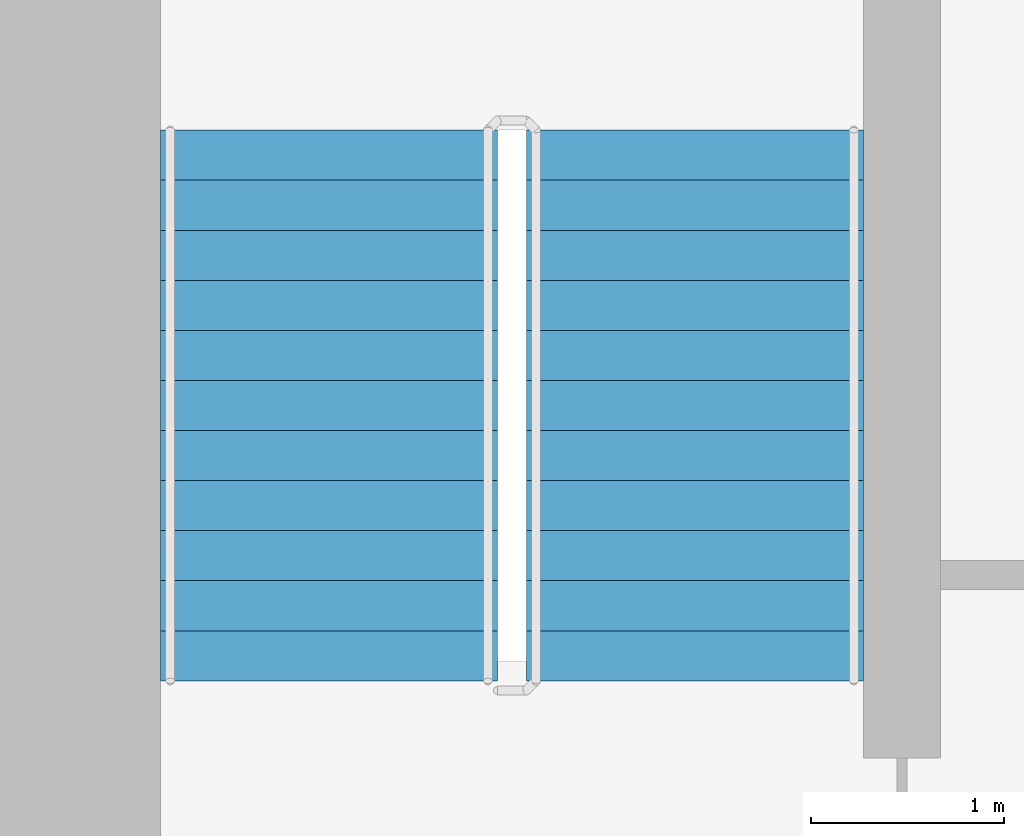
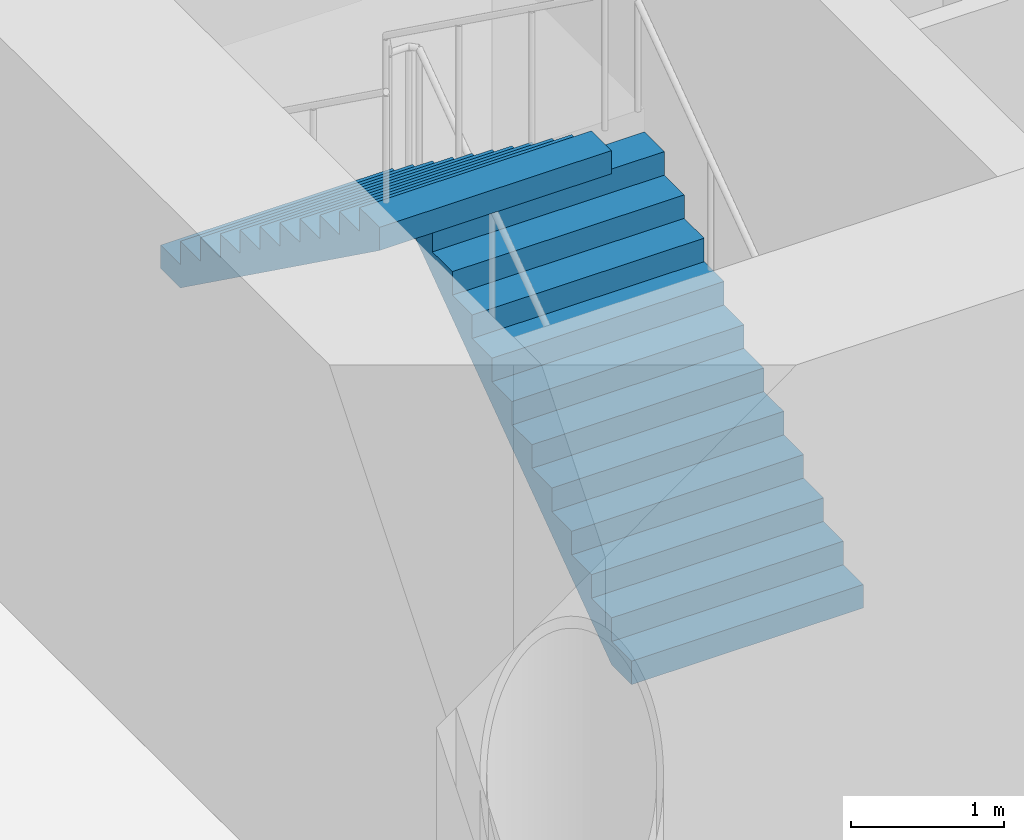
# One storey, part 43 of 51: 2 stair flights, 1 element without a shape of its own.
"""IFC4 building model written with IfcOpenShell, lengths in metres."""

from ifc_helpers import new_model, si_unit, direction, frame, origin, place, context, subcontext, project, spatial, faceted_brep, material, type_object, element, aggregate, save


model = new_model("IFC4")

# Units and contexts
model_context = context("Model", 3, precision=1e-05, world=origin(), true_north=direction((0.0, 1.0)))
body_context = subcontext(model_context, "Body", "Model", "MODEL_VIEW")
ifc_project = project(units=[si_unit("LENGTHUNIT", "METRE"), si_unit("AREAUNIT", "SQUARE_METRE"), si_unit("VOLUMEUNIT", "CUBIC_METRE"), si_unit("PLANEANGLEUNIT", "RADIAN"), si_unit("MASSUNIT", "GRAM", prefix="KILO")], contexts=[model_context])

# Site, building, storey
site_placement = place(None, origin())
site = spatial("IfcSite", under=ifc_project, at=site_placement, CompositionType="ELEMENT")
building_placement = place(site_placement, origin())
building = spatial("IfcBuilding", under=site, at=building_placement, Name="Ipe Terrace Towers", CompositionType="ELEMENT")
storey_placement = place(building_placement, frame((0.0, 0.0, 15.5)))
storey = spatial("IfcBuildingStorey", under=building, at=storey_placement, Name="L03", CompositionType="ELEMENT", Elevation=15.5)

# Stair, stair flights
ifc_material_1 = material(Name="Concrete C30/37", Category="concrete")
stair_type = type_object("IfcStairType", Name="Protected exit stair", PredefinedType="HALF_TURN_STAIR", material=ifc_material_1)
stair_placement = place(storey_placement, origin())
stair = element("IfcStair", 1, at=stair_placement, inside=storey, type_object=stair_type, Name="L03 Exit stair T2-C1", PredefinedType="HALF_TURN_STAIR")
ifc_material_2 = material(Name="Concrete C30/37", Category="concrete")
stair_flight_type = type_object("IfcStairFlightType", Name="Exit stair flight 1750", PredefinedType="STRAIGHT", material=ifc_material_2)
stair_flight_1_placement = place(storey_placement, frame((33.22509765625, 9.699951171875, 0.0), z_axis=(0.0, 0.0, 1.0), x_axis=(0.0, 1.0, 0.0)))
stair_flight_1 = element("IfcStairFlight", 2, at=stair_flight_1_placement, type_object=stair_flight_type, Name="T2-ST1 flight 1", NumberOfRisers=12, NumberOfTreads=11, PredefinedType="STRAIGHT", RiserHeight=0.1875, TreadLength=0.26, context=body_context, shape_type="Brep", body=[
    faceted_brep([(0.25634765625, -0.875, 0.0), (2.860107421875, -0.875, 1.877685546875), (2.860107421875, -0.875, 2.0625), (2.60009765625, -0.875, 2.0625), (2.60009765625, -0.875, 1.875), (2.340087890625, -0.875, 1.875), (2.340087890625, -0.875, 1.6875), (2.080078125, -0.875, 1.6875), (2.080078125, -0.875, 1.5), (1.820068359375, -0.875, 1.5), (1.820068359375, -0.875, 1.3125), (1.56005859375, -0.875, 1.3125), (1.56005859375, -0.875, 1.125), (1.300048828125, -0.875, 1.125), (1.300048828125, -0.875, 0.9375), (1.0400390625, -0.875, 0.9375), (1.0400390625, -0.875, 0.75), (0.780029296875, -0.875, 0.75), (0.780029296875, -0.875, 0.5625), (0.52001953125, -0.875, 0.5625), (0.52001953125, -0.875, 0.375), (0.260009765625, -0.875, 0.375), (0.260009765625, -0.875, 0.1875), (0.0, -0.875, 0.1875), (0.0, -0.875, 0.0), (0.0, 0.875, 0.0), (0.0, 0.875, 0.1875), (0.260009765625, 0.875, 0.1875), (0.260009765625, 0.875, 0.375), (0.52001953125, 0.875, 0.375), (0.52001953125, 0.875, 0.5625), (0.780029296875, 0.875, 0.5625), (0.780029296875, 0.875, 0.75), (1.0400390625, 0.875, 0.75), (1.0400390625, 0.875, 0.9375), (1.300048828125, 0.875, 0.9375), (1.300048828125, 0.875, 1.125), (1.56005859375, 0.875, 1.125), (1.56005859375, 0.875, 1.3125), (1.820068359375, 0.875, 1.3125), (1.820068359375, 0.875, 1.5), (2.080078125, 0.875, 1.5), (2.080078125, 0.875, 1.6875), (2.340087890625, 0.875, 1.6875), (2.340087890625, 0.875, 1.875), (2.60009765625, 0.875, 1.875), (2.60009765625, 0.875, 2.0625), (2.860107421875, 0.875, 2.0625), (2.860107421875, 0.875, 1.877685546875), (0.25634765625, 0.875, 0.0), (0.0, -0.300048828125, 0.1875), (0.0, -0.1201171875, 0.1875), (0.0, -0.06005859375, 0.1875), (0.0, -0.030029296875, 0.1875), (0.0, -0.010009765625, 0.1875), (0.0, 0.0, 0.1875), (0.0, 0.010009765625, 0.1875), (0.0, 0.030029296875, 0.1875), (0.0, 0.06005859375, 0.1875), (0.0, 0.1201171875, 0.1875), (0.0, 0.300048828125, 0.1875), (0.0, 0.300048828125, 0.0), (0.0, 0.1201171875, 0.0), (0.0, 0.06005859375, 0.0), (0.0, 0.030029296875, 0.0), (0.0, 0.010009765625, 0.0), (0.0, 0.0, 0.0), (0.0, -0.010009765625, 0.0), (0.0, -0.030029296875, 0.0), (0.0, -0.06005859375, 0.0), (0.0, -0.1201171875, 0.0), (0.0, -0.300048828125, 0.0), (0.260009765625, -0.300048828125, 0.1875), (0.260009765625, -0.1201171875, 0.1875), (0.260009765625, -0.06005859375, 0.1875), (0.260009765625, -0.030029296875, 0.1875), (0.260009765625, -0.010009765625, 0.1875), (0.260009765625, 0.0, 0.1875), (0.260009765625, 0.010009765625, 0.1875), (0.260009765625, 0.030029296875, 0.1875), (0.260009765625, 0.06005859375, 0.1875), (0.260009765625, 0.1201171875, 0.1875), (0.260009765625, 0.300048828125, 0.1875), (0.260009765625, -0.300048828125, 0.375), (0.260009765625, -0.1201171875, 0.375), (0.260009765625, -0.06005859375, 0.375), (0.260009765625, -0.030029296875, 0.375), (0.260009765625, -0.010009765625, 0.375), (0.260009765625, 0.0, 0.375), (0.260009765625, 0.010009765625, 0.375), (0.260009765625, 0.030029296875, 0.375), (0.260009765625, 0.06005859375, 0.375), (0.260009765625, 0.1201171875, 0.375), (0.260009765625, 0.300048828125, 0.375), (0.52001953125, -0.300048828125, 0.375), (0.52001953125, -0.1201171875, 0.375), (0.52001953125, -0.06005859375, 0.375), (0.52001953125, -0.030029296875, 0.375), (0.52001953125, -0.010009765625, 0.375), (0.52001953125, 0.0, 0.375), (0.52001953125, 0.010009765625, 0.375), (0.52001953125, 0.030029296875, 0.375), (0.52001953125, 0.06005859375, 0.375), (0.52001953125, 0.1201171875, 0.375), (0.52001953125, 0.300048828125, 0.375), (0.52001953125, -0.300048828125, 0.5625), (0.52001953125, -0.1201171875, 0.5625), (0.52001953125, -0.06005859375, 0.5625), (0.52001953125, -0.030029296875, 0.5625), (0.52001953125, -0.010009765625, 0.5625), (0.52001953125, 0.0, 0.5625), (0.52001953125, 0.010009765625, 0.5625), (0.52001953125, 0.030029296875, 0.5625), (0.52001953125, 0.06005859375, 0.5625), (0.52001953125, 0.1201171875, 0.5625), (0.52001953125, 0.300048828125, 0.5625), (0.780029296875, -0.300048828125, 0.5625), (0.780029296875, -0.1201171875, 0.5625), (0.780029296875, -0.06005859375, 0.5625), (0.780029296875, -0.030029296875, 0.5625), (0.780029296875, -0.010009765625, 0.5625), (0.780029296875, 0.0, 0.5625), (0.780029296875, 0.010009765625, 0.5625), (0.780029296875, 0.030029296875, 0.5625), (0.780029296875, 0.06005859375, 0.5625), (0.780029296875, 0.1201171875, 0.5625), (0.780029296875, 0.300048828125, 0.5625), (0.780029296875, -0.300048828125, 0.75), (0.780029296875, -0.1201171875, 0.75), (0.780029296875, -0.06005859375, 0.75), (0.780029296875, -0.030029296875, 0.75), (0.780029296875, -0.010009765625, 0.75), (0.780029296875, 0.0, 0.75), (0.780029296875, 0.010009765625, 0.75), (0.780029296875, 0.030029296875, 0.75), (0.780029296875, 0.06005859375, 0.75), (0.780029296875, 0.1201171875, 0.75), (0.780029296875, 0.300048828125, 0.75), (1.0400390625, -0.300048828125, 0.75), (1.0400390625, -0.1201171875, 0.75), (1.0400390625, -0.06005859375, 0.75), (1.0400390625, -0.030029296875, 0.75), (1.0400390625, -0.010009765625, 0.75), (1.0400390625, 0.0, 0.75), (1.0400390625, 0.010009765625, 0.75), (1.0400390625, 0.030029296875, 0.75), (1.0400390625, 0.06005859375, 0.75), (1.0400390625, 0.1201171875, 0.75), (1.0400390625, 0.300048828125, 0.75), (1.0400390625, -0.300048828125, 0.9375), (1.0400390625, -0.1201171875, 0.9375), (1.0400390625, -0.06005859375, 0.9375), (1.0400390625, -0.030029296875, 0.9375), (1.0400390625, -0.010009765625, 0.9375), (1.0400390625, 0.0, 0.9375), (1.0400390625, 0.010009765625, 0.9375), (1.0400390625, 0.030029296875, 0.9375), (1.0400390625, 0.06005859375, 0.9375), (1.0400390625, 0.1201171875, 0.9375), (1.0400390625, 0.300048828125, 0.9375), (1.300048828125, -0.300048828125, 0.9375), (1.300048828125, -0.1201171875, 0.9375), (1.300048828125, -0.06005859375, 0.9375), (1.300048828125, -0.030029296875, 0.9375), (1.300048828125, -0.010009765625, 0.9375), (1.300048828125, 0.0, 0.9375), (1.300048828125, 0.010009765625, 0.9375), (1.300048828125, 0.030029296875, 0.9375), (1.300048828125, 0.06005859375, 0.9375), (1.300048828125, 0.1201171875, 0.9375), (1.300048828125, 0.300048828125, 0.9375), (1.300048828125, -0.300048828125, 1.125), (1.300048828125, -0.1201171875, 1.125), (1.300048828125, -0.06005859375, 1.125), (1.300048828125, -0.030029296875, 1.125), (1.300048828125, -0.010009765625, 1.125), (1.300048828125, 0.0, 1.125), (1.300048828125, 0.010009765625, 1.125), (1.300048828125, 0.030029296875, 1.125), (1.300048828125, 0.06005859375, 1.125), (1.300048828125, 0.1201171875, 1.125), (1.300048828125, 0.300048828125, 1.125), (1.56005859375, -0.300048828125, 1.125), (1.56005859375, -0.1201171875, 1.125), (1.56005859375, -0.06005859375, 1.125), (1.56005859375, -0.030029296875, 1.125), (1.56005859375, -0.010009765625, 1.125), (1.56005859375, 0.0, 1.125), (1.56005859375, 0.010009765625, 1.125), (1.56005859375, 0.030029296875, 1.125), (1.56005859375, 0.06005859375, 1.125), (1.56005859375, 0.1201171875, 1.125), (1.56005859375, 0.300048828125, 1.125), (1.56005859375, -0.300048828125, 1.3125), (1.56005859375, -0.1201171875, 1.3125), (1.56005859375, -0.06005859375, 1.3125), (1.56005859375, -0.030029296875, 1.3125), (1.56005859375, -0.010009765625, 1.3125), (1.56005859375, 0.0, 1.3125), (1.56005859375, 0.010009765625, 1.3125), (1.56005859375, 0.030029296875, 1.3125), (1.56005859375, 0.06005859375, 1.3125), (1.56005859375, 0.1201171875, 1.3125), (1.56005859375, 0.300048828125, 1.3125), (1.820068359375, -0.300048828125, 1.3125), (1.820068359375, -0.1201171875, 1.3125), (1.820068359375, -0.06005859375, 1.3125), (1.820068359375, -0.030029296875, 1.3125), (1.820068359375, -0.010009765625, 1.3125), (1.820068359375, 0.0, 1.3125), (1.820068359375, 0.010009765625, 1.3125), (1.820068359375, 0.030029296875, 1.3125), (1.820068359375, 0.06005859375, 1.3125), (1.820068359375, 0.1201171875, 1.3125), (1.820068359375, 0.300048828125, 1.3125), (1.820068359375, -0.300048828125, 1.5), (1.820068359375, -0.1201171875, 1.5), (1.820068359375, -0.06005859375, 1.5), (1.820068359375, -0.030029296875, 1.5), (1.820068359375, -0.010009765625, 1.5), (1.820068359375, 0.0, 1.5), (1.820068359375, 0.010009765625, 1.5), (1.820068359375, 0.030029296875, 1.5), (1.820068359375, 0.06005859375, 1.5), (1.820068359375, 0.1201171875, 1.5), (1.820068359375, 0.300048828125, 1.5), (2.080078125, -0.300048828125, 1.5), (2.080078125, -0.1201171875, 1.5), (2.080078125, -0.06005859375, 1.5), (2.080078125, -0.030029296875, 1.5), (2.080078125, -0.010009765625, 1.5), (2.080078125, 0.0, 1.5), (2.080078125, 0.010009765625, 1.5), (2.080078125, 0.030029296875, 1.5), (2.080078125, 0.06005859375, 1.5), (2.080078125, 0.1201171875, 1.5), (2.080078125, 0.300048828125, 1.5), (2.080078125, -0.300048828125, 1.6875), (2.080078125, -0.1201171875, 1.6875), (2.080078125, -0.06005859375, 1.6875), (2.080078125, -0.030029296875, 1.6875), (2.080078125, -0.010009765625, 1.6875), (2.080078125, 0.0, 1.6875), (2.080078125, 0.010009765625, 1.6875), (2.080078125, 0.030029296875, 1.6875), (2.080078125, 0.06005859375, 1.6875), (2.080078125, 0.1201171875, 1.6875), (2.080078125, 0.300048828125, 1.6875), (2.340087890625, -0.300048828125, 1.6875), (2.340087890625, -0.1201171875, 1.6875), (2.340087890625, -0.06005859375, 1.6875), (2.340087890625, -0.030029296875, 1.6875), (2.340087890625, -0.010009765625, 1.6875), (2.340087890625, 0.0, 1.6875), (2.340087890625, 0.010009765625, 1.6875), (2.340087890625, 0.030029296875, 1.6875), (2.340087890625, 0.06005859375, 1.6875), (2.340087890625, 0.1201171875, 1.6875), (2.340087890625, 0.300048828125, 1.6875), (2.340087890625, -0.300048828125, 1.875), (2.340087890625, -0.1201171875, 1.875), (2.340087890625, -0.06005859375, 1.875), (2.340087890625, -0.030029296875, 1.875), (2.340087890625, -0.010009765625, 1.875), (2.340087890625, 0.0, 1.875), (2.340087890625, 0.010009765625, 1.875), (2.340087890625, 0.030029296875, 1.875), (2.340087890625, 0.06005859375, 1.875), (2.340087890625, 0.1201171875, 1.875), (2.340087890625, 0.300048828125, 1.875), (2.60009765625, -0.300048828125, 1.875), (2.60009765625, -0.1201171875, 1.875), (2.60009765625, -0.06005859375, 1.875), (2.60009765625, -0.030029296875, 1.875), (2.60009765625, -0.010009765625, 1.875), (2.60009765625, 0.0, 1.875), (2.60009765625, 0.010009765625, 1.875), (2.60009765625, 0.030029296875, 1.875), (2.60009765625, 0.06005859375, 1.875), (2.60009765625, 0.1201171875, 1.875), (2.60009765625, 0.300048828125, 1.875), (2.60009765625, -0.300048828125, 2.0625), (2.60009765625, -0.1201171875, 2.0625), (2.60009765625, -0.06005859375, 2.0625), (2.60009765625, -0.030029296875, 2.0625), (2.60009765625, -0.010009765625, 2.0625), (2.60009765625, 0.0, 2.0625), (2.60009765625, 0.010009765625, 2.0625), (2.60009765625, 0.030029296875, 2.0625), (2.60009765625, 0.06005859375, 2.0625), (2.60009765625, 0.1201171875, 2.0625), (2.60009765625, 0.300048828125, 2.0625), (2.860107421875, -0.300048828125, 2.0625), (2.860107421875, -0.1201171875, 2.0625), (2.860107421875, -0.06005859375, 2.0625), (2.860107421875, -0.030029296875, 2.0625), (2.860107421875, -0.010009765625, 2.0625), (2.860107421875, 0.0, 2.0625), (2.860107421875, 0.010009765625, 2.0625), (2.860107421875, 0.030029296875, 2.0625), (2.860107421875, 0.06005859375, 2.0625), (2.860107421875, 0.1201171875, 2.0625), (2.860107421875, 0.300048828125, 2.0625), (2.860107421875, -0.300048828125, 1.877685546875), (2.860107421875, -0.1201171875, 1.877685546875), (2.860107421875, -0.06005859375, 1.877685546875), (2.860107421875, -0.030029296875, 1.877685546875), (2.860107421875, -0.010009765625, 1.877685546875), (2.860107421875, 0.0, 1.877685546875), (2.860107421875, 0.010009765625, 1.877685546875), (2.860107421875, 0.030029296875, 1.877685546875), (2.860107421875, 0.06005859375, 1.877685546875), (2.860107421875, 0.1201171875, 1.877685546875), (2.860107421875, 0.300048828125, 1.877685546875), (0.25634765625, -0.300048828125, 0.0), (0.25634765625, -0.1201171875, 0.0), (0.25634765625, -0.06005859375, 0.0), (0.25634765625, -0.030029296875, 0.0), (0.25634765625, -0.010009765625, 0.0), (0.25634765625, 0.0, 0.0), (0.25634765625, 0.010009765625, 0.0), (0.25634765625, 0.030029296875, 0.0), (0.25634765625, 0.06005859375, 0.0), (0.25634765625, 0.1201171875, 0.0), (0.25634765625, 0.300048828125, 0.0)], [[[0, 1, 2, 3, 4, 5, 6, 7, 8, 9, 10, 11, 12, 13, 14, 15, 16, 17, 18, 19, 20, 21, 22, 23, 24]], [[25, 26, 27, 28, 29, 30, 31, 32, 33, 34, 35, 36, 37, 38, 39, 40, 41, 42, 43, 44, 45, 46, 47, 48, 49]], [[23, 50, 51, 52, 53, 54, 55, 56, 57, 58, 59, 60, 26, 25, 61, 62, 63, 64, 65, 66, 67, 68, 69, 70, 71, 24]], [[22, 72, 73, 74, 75, 76, 77, 78, 79, 80, 81, 82, 27, 26, 60, 59, 58, 57, 56, 55, 54, 53, 52, 51, 50, 23]], [[21, 83, 84, 85, 86, 87, 88, 89, 90, 91, 92, 93, 28, 27, 82, 81, 80, 79, 78, 77, 76, 75, 74, 73, 72, 22]], [[20, 94, 95, 96, 97, 98, 99, 100, 101, 102, 103, 104, 29, 28, 93, 92, 91, 90, 89, 88, 87, 86, 85, 84, 83, 21]], [[19, 105, 106, 107, 108, 109, 110, 111, 112, 113, 114, 115, 30, 29, 104, 103, 102, 101, 100, 99, 98, 97, 96, 95, 94, 20]], [[18, 116, 117, 118, 119, 120, 121, 122, 123, 124, 125, 126, 31, 30, 115, 114, 113, 112, 111, 110, 109, 108, 107, 106, 105, 19]], [[17, 127, 128, 129, 130, 131, 132, 133, 134, 135, 136, 137, 32, 31, 126, 125, 124, 123, 122, 121, 120, 119, 118, 117, 116, 18]], [[16, 138, 139, 140, 141, 142, 143, 144, 145, 146, 147, 148, 33, 32, 137, 136, 135, 134, 133, 132, 131, 130, 129, 128, 127, 17]], [[15, 149, 150, 151, 152, 153, 154, 155, 156, 157, 158, 159, 34, 33, 148, 147, 146, 145, 144, 143, 142, 141, 140, 139, 138, 16]], [[14, 160, 161, 162, 163, 164, 165, 166, 167, 168, 169, 170, 35, 34, 159, 158, 157, 156, 155, 154, 153, 152, 151, 150, 149, 15]], [[13, 171, 172, 173, 174, 175, 176, 177, 178, 179, 180, 181, 36, 35, 170, 169, 168, 167, 166, 165, 164, 163, 162, 161, 160, 14]], [[12, 182, 183, 184, 185, 186, 187, 188, 189, 190, 191, 192, 37, 36, 181, 180, 179, 178, 177, 176, 175, 174, 173, 172, 171, 13]], [[11, 193, 194, 195, 196, 197, 198, 199, 200, 201, 202, 203, 38, 37, 192, 191, 190, 189, 188, 187, 186, 185, 184, 183, 182, 12]], [[10, 204, 205, 206, 207, 208, 209, 210, 211, 212, 213, 214, 39, 38, 203, 202, 201, 200, 199, 198, 197, 196, 195, 194, 193, 11]], [[9, 215, 216, 217, 218, 219, 220, 221, 222, 223, 224, 225, 40, 39, 214, 213, 212, 211, 210, 209, 208, 207, 206, 205, 204, 10]], [[8, 226, 227, 228, 229, 230, 231, 232, 233, 234, 235, 236, 41, 40, 225, 224, 223, 222, 221, 220, 219, 218, 217, 216, 215, 9]], [[7, 237, 238, 239, 240, 241, 242, 243, 244, 245, 246, 247, 42, 41, 236, 235, 234, 233, 232, 231, 230, 229, 228, 227, 226, 8]], [[6, 248, 249, 250, 251, 252, 253, 254, 255, 256, 257, 258, 43, 42, 247, 246, 245, 244, 243, 242, 241, 240, 239, 238, 237, 7]], [[5, 259, 260, 261, 262, 263, 264, 265, 266, 267, 268, 269, 44, 43, 258, 257, 256, 255, 254, 253, 252, 251, 250, 249, 248, 6]], [[4, 270, 271, 272, 273, 274, 275, 276, 277, 278, 279, 280, 45, 44, 269, 268, 267, 266, 265, 264, 263, 262, 261, 260, 259, 5]], [[3, 281, 282, 283, 284, 285, 286, 287, 288, 289, 290, 291, 46, 45, 280, 279, 278, 277, 276, 275, 274, 273, 272, 271, 270, 4]], [[2, 292, 293, 294, 295, 296, 297, 298, 299, 300, 301, 302, 47, 46, 291, 290, 289, 288, 287, 286, 285, 284, 283, 282, 281, 3]], [[1, 303, 304, 305, 306, 307, 308, 309, 310, 311, 312, 313, 48, 47, 302, 301, 300, 299, 298, 297, 296, 295, 294, 293, 292, 2]], [[0, 314, 315, 316, 317, 318, 319, 320, 321, 322, 323, 324, 49, 48, 313, 312, 311, 310, 309, 308, 307, 306, 305, 304, 303, 1]], [[24, 71, 70, 69, 68, 67, 66, 65, 64, 63, 62, 61, 25, 49, 324, 323, 322, 321, 320, 319, 318, 317, 316, 315, 314, 0]]]),
])
stair_flight_2_placement = place(storey_placement, frame((31.324951171875, 12.56005859375, 2.25), z_axis=(0.0, 0.0, 1.0), x_axis=(0.0, -1.0, 0.0)))
stair_flight_2 = element("IfcStairFlight", 3, at=stair_flight_2_placement, type_object=stair_flight_type, Name="T2-ST1 flight 2", NumberOfRisers=12, NumberOfTreads=11, PredefinedType="STRAIGHT", RiserHeight=0.1875, TreadLength=0.26, context=body_context, shape_type="Brep", body=[
    faceted_brep([(0.25634765625, -0.875, 0.0), (2.860107421875, -0.875, 1.877685546875), (2.860107421875, -0.875, 2.0625), (2.60009765625, -0.875, 2.0625), (2.60009765625, -0.875, 1.875), (2.340087890625, -0.875, 1.875), (2.340087890625, -0.875, 1.6875), (2.080078125, -0.875, 1.6875), (2.080078125, -0.875, 1.5), (1.820068359375, -0.875, 1.5), (1.820068359375, -0.875, 1.3125), (1.56005859375, -0.875, 1.3125), (1.56005859375, -0.875, 1.125), (1.300048828125, -0.875, 1.125), (1.300048828125, -0.875, 0.9375), (1.0400390625, -0.875, 0.9375), (1.0400390625, -0.875, 0.75), (0.780029296875, -0.875, 0.75), (0.780029296875, -0.875, 0.5625), (0.52001953125, -0.875, 0.5625), (0.52001953125, -0.875, 0.375), (0.260009765625, -0.875, 0.375), (0.260009765625, -0.875, 0.1875), (0.0, -0.875, 0.1875), (0.0, -0.875, 0.0), (0.0, 0.875, 0.0), (0.0, 0.875, 0.1875), (0.260009765625, 0.875, 0.1875), (0.260009765625, 0.875, 0.375), (0.52001953125, 0.875, 0.375), (0.52001953125, 0.875, 0.5625), (0.780029296875, 0.875, 0.5625), (0.780029296875, 0.875, 0.75), (1.0400390625, 0.875, 0.75), (1.0400390625, 0.875, 0.9375), (1.300048828125, 0.875, 0.9375), (1.300048828125, 0.875, 1.125), (1.56005859375, 0.875, 1.125), (1.56005859375, 0.875, 1.3125), (1.820068359375, 0.875, 1.3125), (1.820068359375, 0.875, 1.5), (2.080078125, 0.875, 1.5), (2.080078125, 0.875, 1.6875), (2.340087890625, 0.875, 1.6875), (2.340087890625, 0.875, 1.875), (2.60009765625, 0.875, 1.875), (2.60009765625, 0.875, 2.0625), (2.860107421875, 0.875, 2.0625), (2.860107421875, 0.875, 1.877685546875), (0.25634765625, 0.875, 0.0), (0.0, -0.300048828125, 0.1875), (0.0, -0.1201171875, 0.1875), (0.0, -0.06005859375, 0.1875), (0.0, -0.030029296875, 0.1875), (0.0, -0.010009765625, 0.1875), (0.0, 0.0, 0.1875), (0.0, 0.010009765625, 0.1875), (0.0, 0.030029296875, 0.1875), (0.0, 0.06005859375, 0.1875), (0.0, 0.1201171875, 0.1875), (0.0, 0.300048828125, 0.1875), (0.0, 0.300048828125, 0.0), (0.0, 0.1201171875, 0.0), (0.0, 0.06005859375, 0.0), (0.0, 0.030029296875, 0.0), (0.0, 0.010009765625, 0.0), (0.0, 0.0, 0.0), (0.0, -0.010009765625, 0.0), (0.0, -0.030029296875, 0.0), (0.0, -0.06005859375, 0.0), (0.0, -0.1201171875, 0.0), (0.0, -0.300048828125, 0.0), (0.260009765625, -0.300048828125, 0.1875), (0.260009765625, -0.1201171875, 0.1875), (0.260009765625, -0.06005859375, 0.1875), (0.260009765625, -0.030029296875, 0.1875), (0.260009765625, -0.010009765625, 0.1875), (0.260009765625, 0.0, 0.1875), (0.260009765625, 0.010009765625, 0.1875), (0.260009765625, 0.030029296875, 0.1875), (0.260009765625, 0.06005859375, 0.1875), (0.260009765625, 0.1201171875, 0.1875), (0.260009765625, 0.300048828125, 0.1875), (0.260009765625, -0.300048828125, 0.375), (0.260009765625, -0.1201171875, 0.375), (0.260009765625, -0.06005859375, 0.375), (0.260009765625, -0.030029296875, 0.375), (0.260009765625, -0.010009765625, 0.375), (0.260009765625, 0.0, 0.375), (0.260009765625, 0.010009765625, 0.375), (0.260009765625, 0.030029296875, 0.375), (0.260009765625, 0.06005859375, 0.375), (0.260009765625, 0.1201171875, 0.375), (0.260009765625, 0.300048828125, 0.375), (0.52001953125, -0.300048828125, 0.375), (0.52001953125, -0.1201171875, 0.375), (0.52001953125, -0.06005859375, 0.375), (0.52001953125, -0.030029296875, 0.375), (0.52001953125, -0.010009765625, 0.375), (0.52001953125, 0.0, 0.375), (0.52001953125, 0.010009765625, 0.375), (0.52001953125, 0.030029296875, 0.375), (0.52001953125, 0.06005859375, 0.375), (0.52001953125, 0.1201171875, 0.375), (0.52001953125, 0.300048828125, 0.375), (0.52001953125, -0.300048828125, 0.5625), (0.52001953125, -0.1201171875, 0.5625), (0.52001953125, -0.06005859375, 0.5625), (0.52001953125, -0.030029296875, 0.5625), (0.52001953125, -0.010009765625, 0.5625), (0.52001953125, 0.0, 0.5625), (0.52001953125, 0.010009765625, 0.5625), (0.52001953125, 0.030029296875, 0.5625), (0.52001953125, 0.06005859375, 0.5625), (0.52001953125, 0.1201171875, 0.5625), (0.52001953125, 0.300048828125, 0.5625), (0.780029296875, -0.300048828125, 0.5625), (0.780029296875, -0.1201171875, 0.5625), (0.780029296875, -0.06005859375, 0.5625), (0.780029296875, -0.030029296875, 0.5625), (0.780029296875, -0.010009765625, 0.5625), (0.780029296875, 0.0, 0.5625), (0.780029296875, 0.010009765625, 0.5625), (0.780029296875, 0.030029296875, 0.5625), (0.780029296875, 0.06005859375, 0.5625), (0.780029296875, 0.1201171875, 0.5625), (0.780029296875, 0.300048828125, 0.5625), (0.780029296875, -0.300048828125, 0.75), (0.780029296875, -0.1201171875, 0.75), (0.780029296875, -0.06005859375, 0.75), (0.780029296875, -0.030029296875, 0.75), (0.780029296875, -0.010009765625, 0.75), (0.780029296875, 0.0, 0.75), (0.780029296875, 0.010009765625, 0.75), (0.780029296875, 0.030029296875, 0.75), (0.780029296875, 0.06005859375, 0.75), (0.780029296875, 0.1201171875, 0.75), (0.780029296875, 0.300048828125, 0.75), (1.0400390625, -0.300048828125, 0.75), (1.0400390625, -0.1201171875, 0.75), (1.0400390625, -0.06005859375, 0.75), (1.0400390625, -0.030029296875, 0.75), (1.0400390625, -0.010009765625, 0.75), (1.0400390625, 0.0, 0.75), (1.0400390625, 0.010009765625, 0.75), (1.0400390625, 0.030029296875, 0.75), (1.0400390625, 0.06005859375, 0.75), (1.0400390625, 0.1201171875, 0.75), (1.0400390625, 0.300048828125, 0.75), (1.0400390625, -0.300048828125, 0.9375), (1.0400390625, -0.1201171875, 0.9375), (1.0400390625, -0.06005859375, 0.9375), (1.0400390625, -0.030029296875, 0.9375), (1.0400390625, -0.010009765625, 0.9375), (1.0400390625, 0.0, 0.9375), (1.0400390625, 0.010009765625, 0.9375), (1.0400390625, 0.030029296875, 0.9375), (1.0400390625, 0.06005859375, 0.9375), (1.0400390625, 0.1201171875, 0.9375), (1.0400390625, 0.300048828125, 0.9375), (1.300048828125, -0.300048828125, 0.9375), (1.300048828125, -0.1201171875, 0.9375), (1.300048828125, -0.06005859375, 0.9375), (1.300048828125, -0.030029296875, 0.9375), (1.300048828125, -0.010009765625, 0.9375), (1.300048828125, 0.0, 0.9375), (1.300048828125, 0.010009765625, 0.9375), (1.300048828125, 0.030029296875, 0.9375), (1.300048828125, 0.06005859375, 0.9375), (1.300048828125, 0.1201171875, 0.9375), (1.300048828125, 0.300048828125, 0.9375), (1.300048828125, -0.300048828125, 1.125), (1.300048828125, -0.1201171875, 1.125), (1.300048828125, -0.06005859375, 1.125), (1.300048828125, -0.030029296875, 1.125), (1.300048828125, -0.010009765625, 1.125), (1.300048828125, 0.0, 1.125), (1.300048828125, 0.010009765625, 1.125), (1.300048828125, 0.030029296875, 1.125), (1.300048828125, 0.06005859375, 1.125), (1.300048828125, 0.1201171875, 1.125), (1.300048828125, 0.300048828125, 1.125), (1.56005859375, -0.300048828125, 1.125), (1.56005859375, -0.1201171875, 1.125), (1.56005859375, -0.06005859375, 1.125), (1.56005859375, -0.030029296875, 1.125), (1.56005859375, -0.010009765625, 1.125), (1.56005859375, 0.0, 1.125), (1.56005859375, 0.010009765625, 1.125), (1.56005859375, 0.030029296875, 1.125), (1.56005859375, 0.06005859375, 1.125), (1.56005859375, 0.1201171875, 1.125), (1.56005859375, 0.300048828125, 1.125), (1.56005859375, -0.300048828125, 1.3125), (1.56005859375, -0.1201171875, 1.3125), (1.56005859375, -0.06005859375, 1.3125), (1.56005859375, -0.030029296875, 1.3125), (1.56005859375, -0.010009765625, 1.3125), (1.56005859375, 0.0, 1.3125), (1.56005859375, 0.010009765625, 1.3125), (1.56005859375, 0.030029296875, 1.3125), (1.56005859375, 0.06005859375, 1.3125), (1.56005859375, 0.1201171875, 1.3125), (1.56005859375, 0.300048828125, 1.3125), (1.820068359375, -0.300048828125, 1.3125), (1.820068359375, -0.1201171875, 1.3125), (1.820068359375, -0.06005859375, 1.3125), (1.820068359375, -0.030029296875, 1.3125), (1.820068359375, -0.010009765625, 1.3125), (1.820068359375, 0.0, 1.3125), (1.820068359375, 0.010009765625, 1.3125), (1.820068359375, 0.030029296875, 1.3125), (1.820068359375, 0.06005859375, 1.3125), (1.820068359375, 0.1201171875, 1.3125), (1.820068359375, 0.300048828125, 1.3125), (1.820068359375, -0.300048828125, 1.5), (1.820068359375, -0.1201171875, 1.5), (1.820068359375, -0.06005859375, 1.5), (1.820068359375, -0.030029296875, 1.5), (1.820068359375, -0.010009765625, 1.5), (1.820068359375, 0.0, 1.5), (1.820068359375, 0.010009765625, 1.5), (1.820068359375, 0.030029296875, 1.5), (1.820068359375, 0.06005859375, 1.5), (1.820068359375, 0.1201171875, 1.5), (1.820068359375, 0.300048828125, 1.5), (2.080078125, -0.300048828125, 1.5), (2.080078125, -0.1201171875, 1.5), (2.080078125, -0.06005859375, 1.5), (2.080078125, -0.030029296875, 1.5), (2.080078125, -0.010009765625, 1.5), (2.080078125, 0.0, 1.5), (2.080078125, 0.010009765625, 1.5), (2.080078125, 0.030029296875, 1.5), (2.080078125, 0.06005859375, 1.5), (2.080078125, 0.1201171875, 1.5), (2.080078125, 0.300048828125, 1.5), (2.080078125, -0.300048828125, 1.6875), (2.080078125, -0.1201171875, 1.6875), (2.080078125, -0.06005859375, 1.6875), (2.080078125, -0.030029296875, 1.6875), (2.080078125, -0.010009765625, 1.6875), (2.080078125, 0.0, 1.6875), (2.080078125, 0.010009765625, 1.6875), (2.080078125, 0.030029296875, 1.6875), (2.080078125, 0.06005859375, 1.6875), (2.080078125, 0.1201171875, 1.6875), (2.080078125, 0.300048828125, 1.6875), (2.340087890625, -0.300048828125, 1.6875), (2.340087890625, -0.1201171875, 1.6875), (2.340087890625, -0.06005859375, 1.6875), (2.340087890625, -0.030029296875, 1.6875), (2.340087890625, -0.010009765625, 1.6875), (2.340087890625, 0.0, 1.6875), (2.340087890625, 0.010009765625, 1.6875), (2.340087890625, 0.030029296875, 1.6875), (2.340087890625, 0.06005859375, 1.6875), (2.340087890625, 0.1201171875, 1.6875), (2.340087890625, 0.300048828125, 1.6875), (2.340087890625, -0.300048828125, 1.875), (2.340087890625, -0.1201171875, 1.875), (2.340087890625, -0.06005859375, 1.875), (2.340087890625, -0.030029296875, 1.875), (2.340087890625, -0.010009765625, 1.875), (2.340087890625, 0.0, 1.875), (2.340087890625, 0.010009765625, 1.875), (2.340087890625, 0.030029296875, 1.875), (2.340087890625, 0.06005859375, 1.875), (2.340087890625, 0.1201171875, 1.875), (2.340087890625, 0.300048828125, 1.875), (2.60009765625, -0.300048828125, 1.875), (2.60009765625, -0.1201171875, 1.875), (2.60009765625, -0.06005859375, 1.875), (2.60009765625, -0.030029296875, 1.875), (2.60009765625, -0.010009765625, 1.875), (2.60009765625, 0.0, 1.875), (2.60009765625, 0.010009765625, 1.875), (2.60009765625, 0.030029296875, 1.875), (2.60009765625, 0.06005859375, 1.875), (2.60009765625, 0.1201171875, 1.875), (2.60009765625, 0.300048828125, 1.875), (2.60009765625, -0.300048828125, 2.0625), (2.60009765625, -0.1201171875, 2.0625), (2.60009765625, -0.06005859375, 2.0625), (2.60009765625, -0.030029296875, 2.0625), (2.60009765625, -0.010009765625, 2.0625), (2.60009765625, 0.0, 2.0625), (2.60009765625, 0.010009765625, 2.0625), (2.60009765625, 0.030029296875, 2.0625), (2.60009765625, 0.06005859375, 2.0625), (2.60009765625, 0.1201171875, 2.0625), (2.60009765625, 0.300048828125, 2.0625), (2.860107421875, -0.300048828125, 2.0625), (2.860107421875, -0.1201171875, 2.0625), (2.860107421875, -0.06005859375, 2.0625), (2.860107421875, -0.030029296875, 2.0625), (2.860107421875, -0.010009765625, 2.0625), (2.860107421875, 0.0, 2.0625), (2.860107421875, 0.010009765625, 2.0625), (2.860107421875, 0.030029296875, 2.0625), (2.860107421875, 0.06005859375, 2.0625), (2.860107421875, 0.1201171875, 2.0625), (2.860107421875, 0.300048828125, 2.0625), (2.860107421875, -0.300048828125, 1.877685546875), (2.860107421875, -0.1201171875, 1.877685546875), (2.860107421875, -0.06005859375, 1.877685546875), (2.860107421875, -0.030029296875, 1.877685546875), (2.860107421875, -0.010009765625, 1.877685546875), (2.860107421875, 0.0, 1.877685546875), (2.860107421875, 0.010009765625, 1.877685546875), (2.860107421875, 0.030029296875, 1.877685546875), (2.860107421875, 0.06005859375, 1.877685546875), (2.860107421875, 0.1201171875, 1.877685546875), (2.860107421875, 0.300048828125, 1.877685546875), (0.25634765625, -0.300048828125, 0.0), (0.25634765625, -0.1201171875, 0.0), (0.25634765625, -0.06005859375, 0.0), (0.25634765625, -0.030029296875, 0.0), (0.25634765625, -0.010009765625, 0.0), (0.25634765625, 0.0, 0.0), (0.25634765625, 0.010009765625, 0.0), (0.25634765625, 0.030029296875, 0.0), (0.25634765625, 0.06005859375, 0.0), (0.25634765625, 0.1201171875, 0.0), (0.25634765625, 0.300048828125, 0.0)], [[[0, 1, 2, 3, 4, 5, 6, 7, 8, 9, 10, 11, 12, 13, 14, 15, 16, 17, 18, 19, 20, 21, 22, 23, 24]], [[25, 26, 27, 28, 29, 30, 31, 32, 33, 34, 35, 36, 37, 38, 39, 40, 41, 42, 43, 44, 45, 46, 47, 48, 49]], [[23, 50, 51, 52, 53, 54, 55, 56, 57, 58, 59, 60, 26, 25, 61, 62, 63, 64, 65, 66, 67, 68, 69, 70, 71, 24]], [[22, 72, 73, 74, 75, 76, 77, 78, 79, 80, 81, 82, 27, 26, 60, 59, 58, 57, 56, 55, 54, 53, 52, 51, 50, 23]], [[21, 83, 84, 85, 86, 87, 88, 89, 90, 91, 92, 93, 28, 27, 82, 81, 80, 79, 78, 77, 76, 75, 74, 73, 72, 22]], [[20, 94, 95, 96, 97, 98, 99, 100, 101, 102, 103, 104, 29, 28, 93, 92, 91, 90, 89, 88, 87, 86, 85, 84, 83, 21]], [[19, 105, 106, 107, 108, 109, 110, 111, 112, 113, 114, 115, 30, 29, 104, 103, 102, 101, 100, 99, 98, 97, 96, 95, 94, 20]], [[18, 116, 117, 118, 119, 120, 121, 122, 123, 124, 125, 126, 31, 30, 115, 114, 113, 112, 111, 110, 109, 108, 107, 106, 105, 19]], [[17, 127, 128, 129, 130, 131, 132, 133, 134, 135, 136, 137, 32, 31, 126, 125, 124, 123, 122, 121, 120, 119, 118, 117, 116, 18]], [[16, 138, 139, 140, 141, 142, 143, 144, 145, 146, 147, 148, 33, 32, 137, 136, 135, 134, 133, 132, 131, 130, 129, 128, 127, 17]], [[15, 149, 150, 151, 152, 153, 154, 155, 156, 157, 158, 159, 34, 33, 148, 147, 146, 145, 144, 143, 142, 141, 140, 139, 138, 16]], [[14, 160, 161, 162, 163, 164, 165, 166, 167, 168, 169, 170, 35, 34, 159, 158, 157, 156, 155, 154, 153, 152, 151, 150, 149, 15]], [[13, 171, 172, 173, 174, 175, 176, 177, 178, 179, 180, 181, 36, 35, 170, 169, 168, 167, 166, 165, 164, 163, 162, 161, 160, 14]], [[12, 182, 183, 184, 185, 186, 187, 188, 189, 190, 191, 192, 37, 36, 181, 180, 179, 178, 177, 176, 175, 174, 173, 172, 171, 13]], [[11, 193, 194, 195, 196, 197, 198, 199, 200, 201, 202, 203, 38, 37, 192, 191, 190, 189, 188, 187, 186, 185, 184, 183, 182, 12]], [[10, 204, 205, 206, 207, 208, 209, 210, 211, 212, 213, 214, 39, 38, 203, 202, 201, 200, 199, 198, 197, 196, 195, 194, 193, 11]], [[9, 215, 216, 217, 218, 219, 220, 221, 222, 223, 224, 225, 40, 39, 214, 213, 212, 211, 210, 209, 208, 207, 206, 205, 204, 10]], [[8, 226, 227, 228, 229, 230, 231, 232, 233, 234, 235, 236, 41, 40, 225, 224, 223, 222, 221, 220, 219, 218, 217, 216, 215, 9]], [[7, 237, 238, 239, 240, 241, 242, 243, 244, 245, 246, 247, 42, 41, 236, 235, 234, 233, 232, 231, 230, 229, 228, 227, 226, 8]], [[6, 248, 249, 250, 251, 252, 253, 254, 255, 256, 257, 258, 43, 42, 247, 246, 245, 244, 243, 242, 241, 240, 239, 238, 237, 7]], [[5, 259, 260, 261, 262, 263, 264, 265, 266, 267, 268, 269, 44, 43, 258, 257, 256, 255, 254, 253, 252, 251, 250, 249, 248, 6]], [[4, 270, 271, 272, 273, 274, 275, 276, 277, 278, 279, 280, 45, 44, 269, 268, 267, 266, 265, 264, 263, 262, 261, 260, 259, 5]], [[3, 281, 282, 283, 284, 285, 286, 287, 288, 289, 290, 291, 46, 45, 280, 279, 278, 277, 276, 275, 274, 273, 272, 271, 270, 4]], [[2, 292, 293, 294, 295, 296, 297, 298, 299, 300, 301, 302, 47, 46, 291, 290, 289, 288, 287, 286, 285, 284, 283, 282, 281, 3]], [[1, 303, 304, 305, 306, 307, 308, 309, 310, 311, 312, 313, 48, 47, 302, 301, 300, 299, 298, 297, 296, 295, 294, 293, 292, 2]], [[0, 314, 315, 316, 317, 318, 319, 320, 321, 322, 323, 324, 49, 48, 313, 312, 311, 310, 309, 308, 307, 306, 305, 304, 303, 1]], [[24, 71, 70, 69, 68, 67, 66, 65, 64, 63, 62, 61, 25, 49, 324, 323, 322, 321, 320, 319, 318, 317, 316, 315, 314, 0]]]),
])
aggregate(stair, [stair_flight_1, stair_flight_2])

save(model, "model.ifc")
